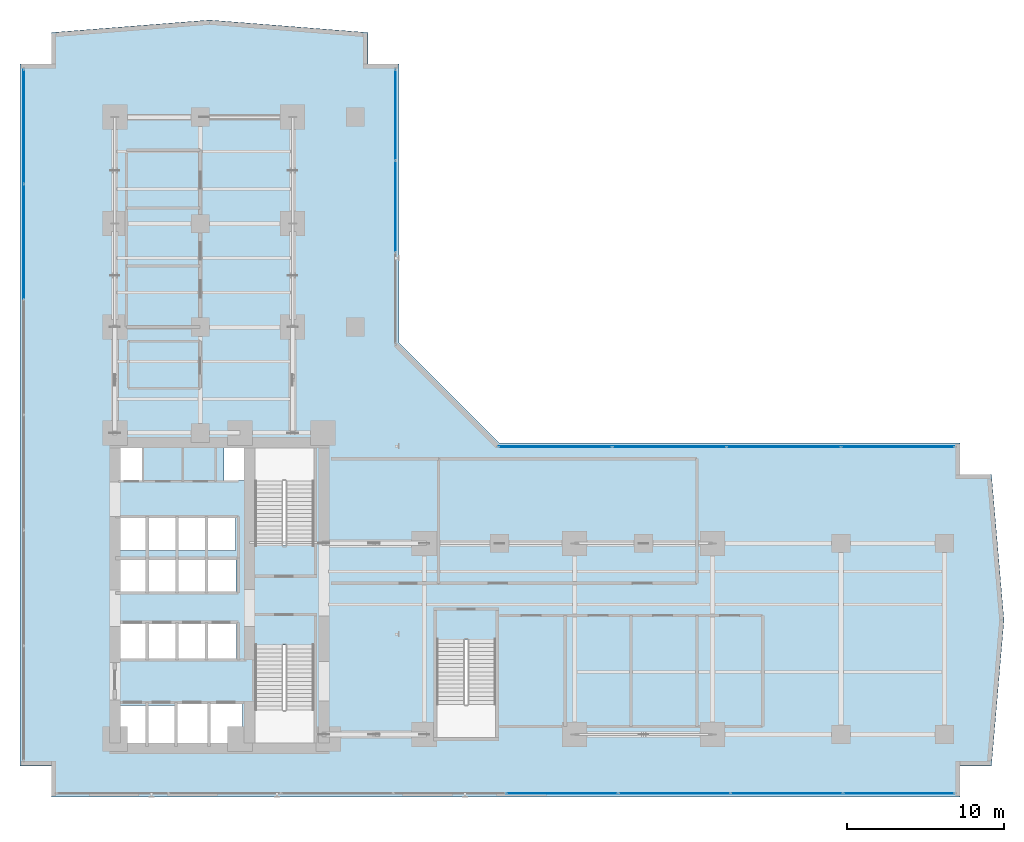
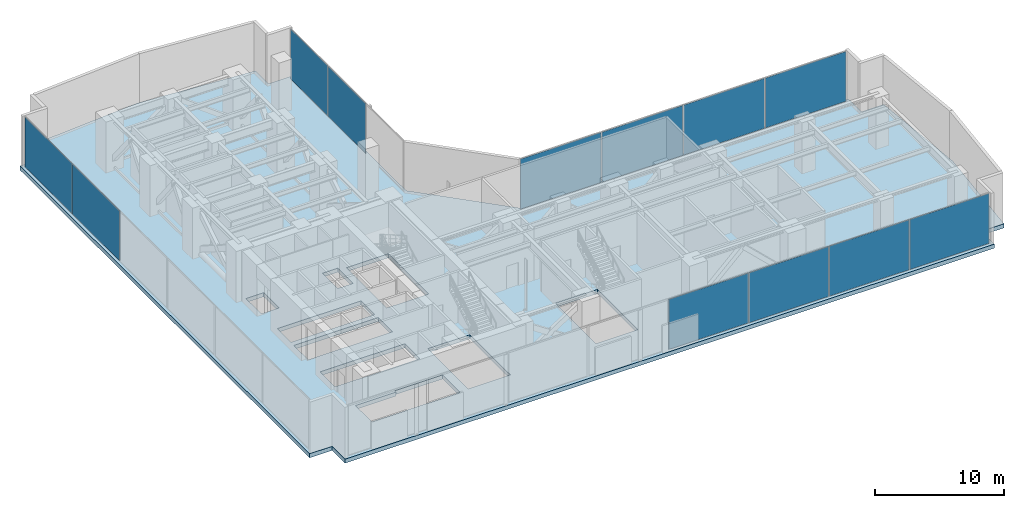
# One storey, part 28 of 36: 12 plates, 1 slab, 4 elements without a shape of their own.
"""IFC4 building model written with IfcOpenShell, lengths in metres."""

from ifc_helpers import new_model, si_unit, direction, frame, origin, origin_with_axes, origin_2d, place, context, subcontext, project, spatial, polyline, rectangle, outline, extrude, source, transform, mapped, material, layer, layer_set, type_object, element, aggregate, save


model = new_model("IFC4")

# Units and contexts
model_context = context("Model", 3, precision=1e-05, world=origin(), true_north=direction((0.0, 1.0)))
body_context = subcontext(model_context, "Body", "Model", "MODEL_VIEW")
ifc_project = project(units=[si_unit("LENGTHUNIT", "METRE"), si_unit("AREAUNIT", "SQUARE_METRE"), si_unit("VOLUMEUNIT", "CUBIC_METRE"), si_unit("PLANEANGLEUNIT", "RADIAN"), si_unit("MASSUNIT", "GRAM", prefix="KILO")], contexts=[model_context])

# Site, building, storey
site_placement = place(None, origin())
site = spatial("IfcSite", under=ifc_project, at=site_placement, CompositionType="ELEMENT")
building_placement = place(site_placement, origin())
building = spatial("IfcBuilding", under=site, at=building_placement, Name="Kolvaren Waterfront Exchange", CompositionType="ELEMENT")
storey_placement = place(building_placement, frame((0.0, 0.0, 82.800048828125)))
storey = spatial("IfcBuildingStorey", under=building, at=storey_placement, Name="L21", CompositionType="ELEMENT", Elevation=82.800048828125)

# Slab
ifc_material_1 = material(Name="Concrete C40/50", Category="concrete")
ifc_layer_1 = layer(ifc_material_1, 0.3798828125, Name="Concrete C40/50")
ifc_layer_set_1 = layer_set([ifc_layer_1], Name="Concrete C40/50")
slab_type = type_object("IfcSlabType", Name="STR-SLAB-380", PredefinedType="FLOOR", material=ifc_layer_set_1)
slab_placement = place(storey_placement, frame((0.0, 0.0, -0.380126953125)))
element("IfcSlab", 1, at=slab_placement, inside=storey, type_object=slab_type, Name="L21 structural floor slab", PredefinedType="FLOOR", context=body_context, shape_type="SweptSolid", body=[
    extrude(outline(polyline([(3.39990234375, 1.199951171875), (61.39990234375, 1.199951171875), (61.39990234375, 3.199951171875), (63.39990234375, 3.199951171875), (64.199951171875, 12.5), (63.39990234375, 21.800048828125), (61.39990234375, 21.800048828125), (61.39990234375, 23.800048828125), (32.0, 23.800048828125), (25.60009765625, 30.199951171875), (25.60009765625, 48.0), (23.60009765625, 48.0), (23.60009765625, 50.0), (13.5, 50.800048828125), (3.39990234375, 50.0), (3.39990234375, 48.0), (1.39990234375, 48.0), (1.39990234375, 3.199951171875), (3.39990234375, 3.199951171875), (3.39990234375, 1.199951171875)]), holes=[polyline([(11.320068359375, 7.260009765625), (15.610107421875, 7.260009765625), (15.610107421875, 4.5400390625), (7.719970703125, 4.5400390625), (7.719970703125, 7.06005859375), (11.320068359375, 7.06005859375), (11.320068359375, 7.260009765625)]), polyline([(20.159912109375, 4.64990234375), (16.39990234375, 4.64990234375), (16.39990234375, 10.89990234375), (20.159912109375, 10.89990234375), (20.159912109375, 4.64990234375)]), polyline([(31.760009765625, 5.0), (28.0, 5.0), (28.0, 11.25), (31.760009765625, 11.25), (31.760009765625, 5.0)]), polyline([(15.2099609375, 10.0400390625), (7.6201171875, 10.0400390625), (7.6201171875, 12.360107421875), (15.2099609375, 12.360107421875), (15.2099609375, 10.0400390625)]), polyline([(7.64501953125, 16.4599609375), (15.18505859375, 16.4599609375), (15.18505859375, 14.239990234375), (7.64501953125, 14.239990234375), (7.64501953125, 16.4599609375)]), polyline([(15.159912109375, 16.93994140625), (7.669921875, 16.93994140625), (7.669921875, 19.06005859375), (15.159912109375, 19.06005859375), (15.159912109375, 16.93994140625)]), polyline([(16.39990234375, 23.5), (20.159912109375, 23.5), (20.159912109375, 17.25), (16.39990234375, 17.25), (16.39990234375, 23.5)]), polyline([(7.60009765625, 23.780029296875), (9.179931640625, 23.780029296875), (9.179931640625, 21.419921875), (7.60009765625, 21.419921875), (7.60009765625, 23.780029296875)]), polyline([(15.800048828125, 23.780029296875), (15.800048828125, 21.419921875), (14.419921875, 21.419921875), (14.419921875, 23.780029296875), (15.800048828125, 23.780029296875)])]), origin(), (0.0, 0.0, 1.0), 0.380126953125),
])

# Curtain wall, plates
ifc_material_2 = material(Name="Anodised dark bronze spandrel aluminium", Category="aluminium")
ifc_layer_2 = layer(ifc_material_2, 0.219970703125, Name="Anodised dark bronze spandrel aluminium")
ifc_layer_set_2 = layer_set([ifc_layer_2], Name="Anodised dark bronze spandrel aluminium")
curtain_wall_type = type_object("IfcCurtainWallType", Name="ARC-CW-SYS6", PredefinedType="USERDEFINED", material=ifc_layer_set_2)
curtain_wall_1_placement = place(storey_placement, origin())
curtain_wall_1 = element("IfcCurtainWall", 2, at=curtain_wall_1_placement, inside=storey, type_object=curtain_wall_type, Name="L21 stick curtain wall CW6 (CW-L21-S)", ObjectType="STICK CURTAIN WALL", PredefinedType="USERDEFINED")
ifc_layer_3 = layer(ifc_material_2, 0.0419921875, Name="Anodised dark bronze spandrel aluminium")
ifc_layer_set_3 = layer_set([ifc_layer_3], Name="Anodised dark bronze spandrel aluminium")
plate_type = type_object("IfcPlateType", Name="ARC-CWP-42", PredefinedType="CURTAIN_PANEL", material=ifc_layer_set_3)
shared_shape_1 = source(origin_with_axes(), body_context, "Body", "SweptSolid", [
    extrude(rectangle(XDim=7.0625, YDim=0.0419921875, at=origin_2d()), origin(), (0.0, 0.0, 1.0), 4.7099609375),
])
plate_1_placement = place(storey_placement, frame((57.49365234375, 1.43994140625, 0.06494140625), z_axis=(0.0, 0.0, 1.0), x_axis=(1.0, 0.0, 0.0)))
plate_1 = element("IfcPlate", 3, at=plate_1_placement, type_object=plate_type, Name="CW6 panel 8.1", PredefinedType="CURTAIN_PANEL", context=body_context, shape_type="MappedRepresentation", body=[
    mapped(shared_shape_1, transform((0.0, 0.0, 0.0), x_axis=(1.0, 0.0, 0.0), y_axis=(0.0, 1.0, 0.0), z_axis=(0.0, 0.0, 1.0), scale=1.0)),
])
shared_shape_2 = source(origin_with_axes(), body_context, "Body", "SweptSolid", [
    extrude(rectangle(XDim=7.10009765625, YDim=0.0419921875, at=origin_2d()), origin(), (0.0, 0.0, 1.0), 4.7099609375),
])
plate_2_placement = place(storey_placement, frame((35.987548828125, 1.43994140625, 0.06494140625), z_axis=(0.0, 0.0, 1.0), x_axis=(1.0, 0.0, 0.0)))
plate_2 = element("IfcPlate", 4, at=plate_2_placement, type_object=plate_type, Name="CW6 panel 5.1", PredefinedType="CURTAIN_PANEL", context=body_context, shape_type="MappedRepresentation", body=[
    mapped(shared_shape_2, transform((0.0, 0.0, 0.0), x_axis=(1.0, 0.0, 0.0), y_axis=(0.0, 1.0, 0.0), z_axis=(0.0, 0.0, 1.0), scale=1.0)),
])
plate_3_placement = place(storey_placement, frame((43.16259765625, 1.43994140625, 0.06494140625), z_axis=(0.0, 0.0, 1.0), x_axis=(1.0, 0.0, 0.0)))
plate_3 = element("IfcPlate", 5, at=plate_3_placement, type_object=plate_type, Name="CW6 panel 6.1", PredefinedType="CURTAIN_PANEL", context=body_context, shape_type="MappedRepresentation", body=[
    mapped(shared_shape_2, transform((0.0, 0.0, 0.0), x_axis=(1.0, 0.0, 0.0), y_axis=(0.0, 1.0, 0.0), z_axis=(0.0, 0.0, 1.0), scale=1.0)),
])
plate_4_placement = place(storey_placement, frame((50.33740234375, 1.43994140625, 0.06494140625), z_axis=(0.0, 0.0, 1.0), x_axis=(1.0, 0.0, 0.0)))
plate_4 = element("IfcPlate", 6, at=plate_4_placement, type_object=plate_type, Name="CW6 panel 7.1", PredefinedType="CURTAIN_PANEL", context=body_context, shape_type="MappedRepresentation", body=[
    mapped(shared_shape_2, transform((0.0, 0.0, 0.0), x_axis=(1.0, 0.0, 0.0), y_axis=(0.0, 1.0, 0.0), z_axis=(0.0, 0.0, 1.0), scale=1.0)),
])
aggregate(curtain_wall_1, [plate_2, plate_3, plate_4, plate_1])

curtain_wall_2_placement = place(storey_placement, origin())
curtain_wall_2 = element("IfcCurtainWall", 7, at=curtain_wall_2_placement, inside=storey, type_object=curtain_wall_type, Name="L21 stick curtain wall CW6 (CW-L21-W)", ObjectType="STICK CURTAIN WALL", PredefinedType="USERDEFINED")
shared_shape_3 = source(origin_with_axes(), body_context, "Body", "SweptSolid", [
    extrude(rectangle(XDim=7.254150390625, YDim=0.0419921875, at=origin_2d()), origin(), (0.0, 0.0, 1.0), 4.7099609375),
])
plate_5_placement = place(storey_placement, frame((1.639892578125, 43.997802734375, 0.06494140625), z_axis=(0.0, 0.0, 1.0), x_axis=(0.0, 1.0, 0.0)))
plate_5 = element("IfcPlate", 8, at=plate_5_placement, type_object=plate_type, Name="CW6 panel 6.1", PredefinedType="CURTAIN_PANEL", context=body_context, shape_type="MappedRepresentation", body=[
    mapped(shared_shape_3, transform((0.0, 0.0, 0.0), x_axis=(1.0, 0.0, 0.0), y_axis=(0.0, 1.0, 0.0), z_axis=(0.0, 0.0, 1.0), scale=1.0)),
])
shared_shape_4 = source(origin_with_axes(), body_context, "Body", "SweptSolid", [
    extrude(rectangle(XDim=7.291748046875, YDim=0.0419921875, at=origin_2d()), origin(), (0.0, 0.0, 1.0), 4.7099609375),
])
plate_6_placement = place(storey_placement, frame((1.639892578125, 36.64990234375, 0.06494140625), z_axis=(0.0, 0.0, 1.0), x_axis=(0.0, 1.0, 0.0)))
plate_6 = element("IfcPlate", 9, at=plate_6_placement, type_object=plate_type, Name="CW6 panel 5.1", PredefinedType="CURTAIN_PANEL", context=body_context, shape_type="MappedRepresentation", body=[
    mapped(shared_shape_4, transform((0.0, 0.0, 0.0), x_axis=(1.0, 0.0, 0.0), y_axis=(0.0, 1.0, 0.0), z_axis=(0.0, 0.0, 1.0), scale=1.0)),
])
aggregate(curtain_wall_2, [plate_6, plate_5])

curtain_wall_3_placement = place(storey_placement, origin())
curtain_wall_3 = element("IfcCurtainWall", 10, at=curtain_wall_3_placement, inside=storey, type_object=curtain_wall_type, Name="L21 stick curtain wall CW6 (CW-L21-NE)", ObjectType="STICK CURTAIN WALL", PredefinedType="USERDEFINED")
shared_shape_5 = source(origin_with_axes(), body_context, "Body", "SweptSolid", [
    extrude(rectangle(XDim=5.757568359375, YDim=0.0419921875, at=origin_2d()), origin(), (0.0, 0.0, 1.0), 4.7099609375),
])
plate_7_placement = place(storey_placement, frame((25.360107421875, 44.746337890625, 0.06494140625), z_axis=(0.0, 0.0, 1.0), x_axis=(0.0, 1.0, 0.0)))
plate_7 = element("IfcPlate", 11, at=plate_7_placement, type_object=plate_type, Name="CW6 panel 3.1", PredefinedType="CURTAIN_PANEL", context=body_context, shape_type="MappedRepresentation", body=[
    mapped(shared_shape_5, transform((0.0, 0.0, 0.0), x_axis=(1.0, 0.0, 0.0), y_axis=(0.0, 1.0, 0.0), z_axis=(0.0, 0.0, 1.0), scale=1.0)),
])
shared_shape_6 = source(origin_with_axes(), body_context, "Body", "SweptSolid", [
    extrude(rectangle(XDim=5.794921875, YDim=0.0419921875, at=origin_2d()), origin(), (0.0, 0.0, 1.0), 4.7099609375),
])
plate_8_placement = place(storey_placement, frame((25.360107421875, 38.89501953125, 0.06494140625), z_axis=(0.0, 0.0, 1.0), x_axis=(0.0, 1.0, 0.0)))
plate_8 = element("IfcPlate", 12, at=plate_8_placement, type_object=plate_type, Name="CW6 panel 2.1", PredefinedType="CURTAIN_PANEL", context=body_context, shape_type="MappedRepresentation", body=[
    mapped(shared_shape_6, transform((0.0, 0.0, 0.0), x_axis=(1.0, 0.0, 0.0), y_axis=(0.0, 1.0, 0.0), z_axis=(0.0, 0.0, 1.0), scale=1.0)),
])
aggregate(curtain_wall_3, [plate_8, plate_7])

curtain_wall_4_placement = place(storey_placement, origin())
curtain_wall_4 = element("IfcCurtainWall", 13, at=curtain_wall_4_placement, inside=storey, type_object=curtain_wall_type, Name="L21 stick curtain wall CW6 (CW-L21-EN)", ObjectType="STICK CURTAIN WALL", PredefinedType="USERDEFINED")
shared_shape_7 = source(origin_with_axes(), body_context, "Body", "SweptSolid", [
    extrude(rectangle(XDim=7.18994140625, YDim=0.0419921875, at=origin_2d()), origin(), (0.0, 0.0, 1.0), 4.7099609375),
])
plate_9_placement = place(storey_placement, frame((35.56005859375, 23.56005859375, 0.06494140625), z_axis=(0.0, 0.0, 1.0), x_axis=(1.0, 0.0, 0.0)))
plate_9 = element("IfcPlate", 14, at=plate_9_placement, type_object=plate_type, Name="CW6 panel 1.1", PredefinedType="CURTAIN_PANEL", context=body_context, shape_type="MappedRepresentation", body=[
    mapped(shared_shape_7, transform((0.0, 0.0, 0.0), x_axis=(1.0, 0.0, 0.0), y_axis=(0.0, 1.0, 0.0), z_axis=(0.0, 0.0, 1.0), scale=1.0)),
])
plate_10_placement = place(storey_placement, frame((57.429931640625, 23.56005859375, 0.06494140625), z_axis=(0.0, 0.0, 1.0), x_axis=(1.0, 0.0, 0.0)))
plate_10 = element("IfcPlate", 15, at=plate_10_placement, type_object=plate_type, Name="CW6 panel 4.1", PredefinedType="CURTAIN_PANEL", context=body_context, shape_type="MappedRepresentation", body=[
    mapped(shared_shape_7, transform((0.0, 0.0, 0.0), x_axis=(1.0, 0.0, 0.0), y_axis=(0.0, 1.0, 0.0), z_axis=(0.0, 0.0, 1.0), scale=1.0)),
])
shared_shape_8 = source(origin_with_axes(), body_context, "Body", "SweptSolid", [
    extrude(rectangle(XDim=7.2275390625, YDim=0.0419921875, at=origin_2d()), origin(), (0.0, 0.0, 1.0), 4.7099609375),
])
plate_11_placement = place(storey_placement, frame((42.84375, 23.56005859375, 0.06494140625), z_axis=(0.0, 0.0, 1.0), x_axis=(1.0, 0.0, 0.0)))
plate_11 = element("IfcPlate", 16, at=plate_11_placement, type_object=plate_type, Name="CW6 panel 2.1", PredefinedType="CURTAIN_PANEL", context=body_context, shape_type="MappedRepresentation", body=[
    mapped(shared_shape_8, transform((0.0, 0.0, 0.0), x_axis=(1.0, 0.0, 0.0), y_axis=(0.0, 1.0, 0.0), z_axis=(0.0, 0.0, 1.0), scale=1.0)),
])
plate_12_placement = place(storey_placement, frame((50.146240234375, 23.56005859375, 0.06494140625), z_axis=(0.0, 0.0, 1.0), x_axis=(1.0, 0.0, 0.0)))
plate_12 = element("IfcPlate", 17, at=plate_12_placement, type_object=plate_type, Name="CW6 panel 3.1", PredefinedType="CURTAIN_PANEL", context=body_context, shape_type="MappedRepresentation", body=[
    mapped(shared_shape_8, transform((0.0, 0.0, 0.0), x_axis=(1.0, 0.0, 0.0), y_axis=(0.0, 1.0, 0.0), z_axis=(0.0, 0.0, 1.0), scale=1.0)),
])
aggregate(curtain_wall_4, [plate_9, plate_11, plate_12, plate_10])

save(model, "model.ifc")
